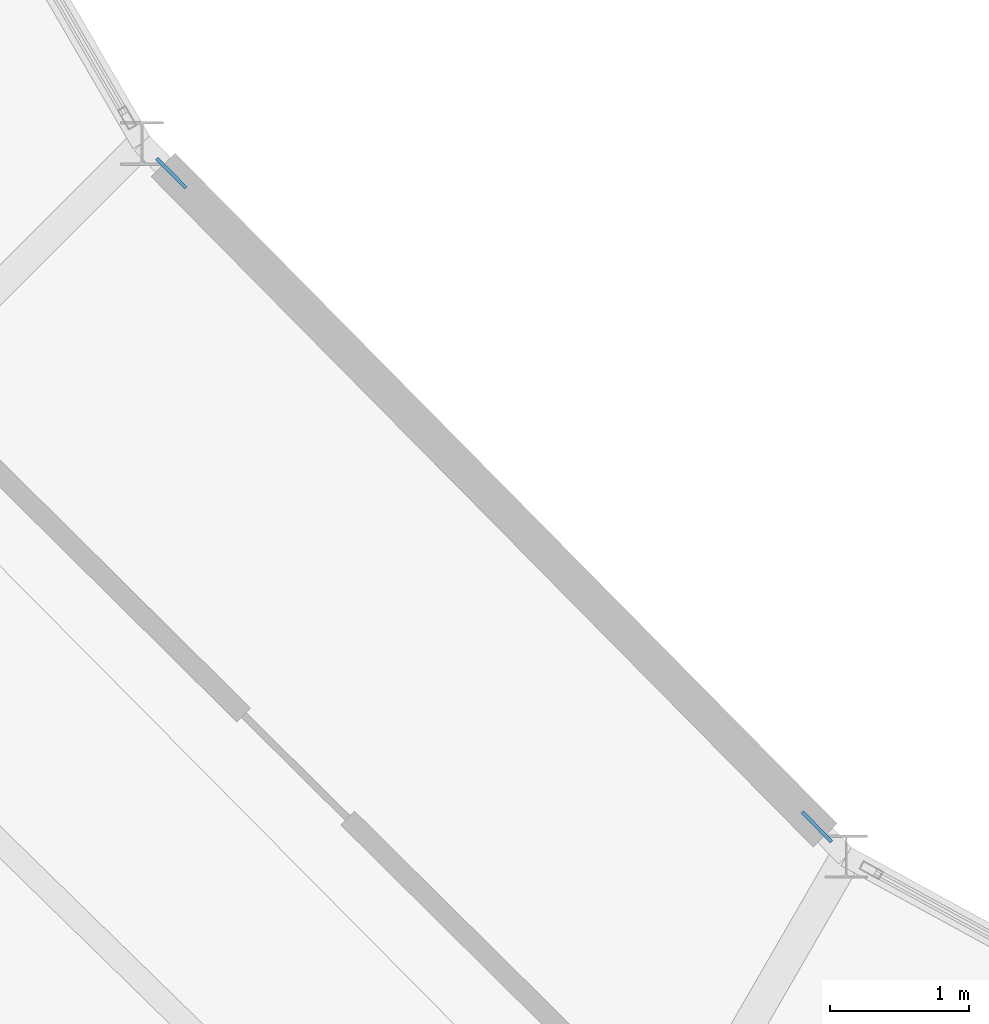
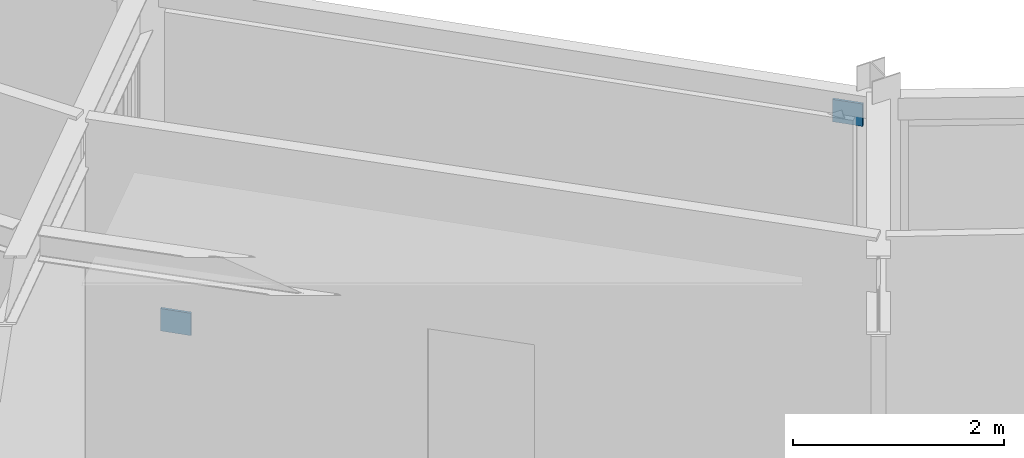
# One storey, part 110 of 148: 2 plates.
"""IFC4 building model written with IfcOpenShell, lengths in metres."""

from ifc_helpers import new_model, si_unit, direction, frame, origin, origin_2d, place, context, subcontext, project, spatial, rectangle, extrude, material, layer, layer_set, type_object, element, save


model = new_model("IFC4")

# Units and contexts
model_context = context("Model", 3, precision=1e-05, world=origin(), true_north=direction((0.0, 1.0)))
body_context = subcontext(model_context, "Body", "Model", "MODEL_VIEW")
ifc_project = project(units=[si_unit("LENGTHUNIT", "METRE"), si_unit("AREAUNIT", "SQUARE_METRE"), si_unit("VOLUMEUNIT", "CUBIC_METRE"), si_unit("PLANEANGLEUNIT", "RADIAN"), si_unit("MASSUNIT", "GRAM", prefix="KILO")], contexts=[model_context])

# Site, building, storey
site_placement = place(None, origin())
site = spatial("IfcSite", under=ifc_project, at=site_placement, CompositionType="ELEMENT")
building_placement = place(site_placement, origin())
building = spatial("IfcBuilding", under=site, at=building_placement, Name="Karori Crest Natural Sciences Institute", CompositionType="ELEMENT")
storey_placement = place(building_placement, frame((0.0, 0.0, 4.89990234375)))
storey = spatial("IfcBuildingStorey", under=building, at=storey_placement, Name="L01", CompositionType="ELEMENT", Elevation=4.89990234375)

# Plates
ifc_material = material(Name="Structural steel AS/NZS 3679.1 Grade 350", Category="steel")
ifc_layer = layer(ifc_material, 0.02490234375, Name="Structural steel AS/NZS 3679.1 Grade 350")
ifc_layer_set = layer_set([ifc_layer], Name="Structural steel AS/NZS 3679.1 Grade 350")
plate_type = type_object("IfcPlateType", Name="PLT-06", PredefinedType="SHEET", material=ifc_layer_set)
for number, where, z_axis, x_axis, name in (
    (1, (49.357421875, 26.917724609375, -0.11962890625), (0.0, 0.0, 1.0), (-0.702663630174, 0.711522187167, 0.0), "Brace gusset plate EP-0021"),
    (2, (53.9892578125, 22.2275390625, 3.5205078125), (0.0, 0.0, 1.0), (-0.702663630174, 0.711522187167, 0.0), "Brace gusset plate EP-0022"),
):
    element("IfcPlate", number, at=place(storey_placement, frame(where, z_axis=z_axis, x_axis=x_axis)), inside=storey, type_object=plate_type, Name=name, PredefinedType="SHEET", context=body_context, shape_type="SweptSolid", body=[
        extrude(rectangle(XDim=0.299072265625, YDim=0.02490234375, at=origin_2d()), origin(), (0.0, 0.0, 1.0), 0.259033203125),
    ])

save(model, "model.ifc")
